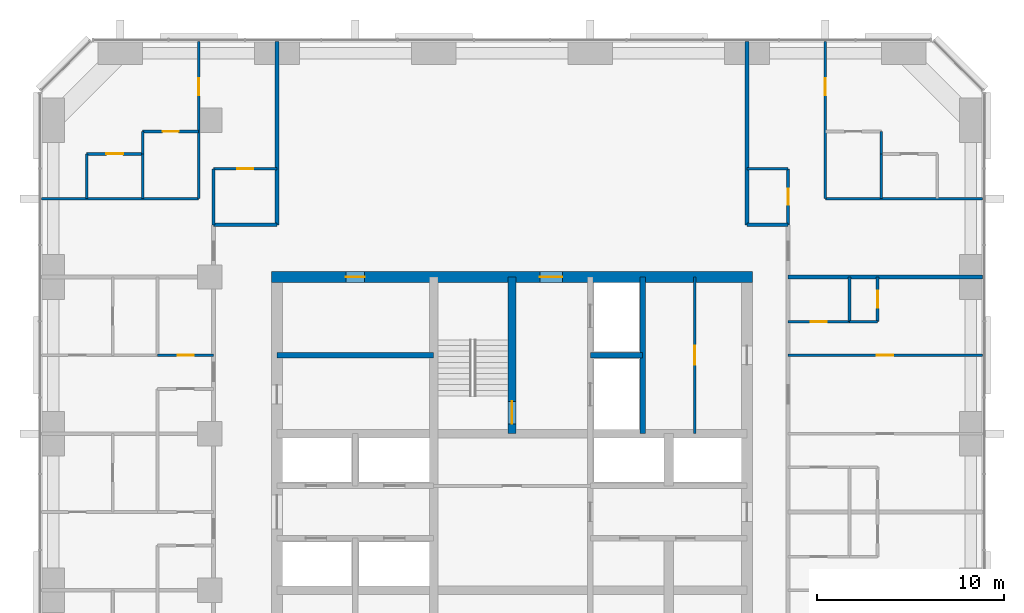
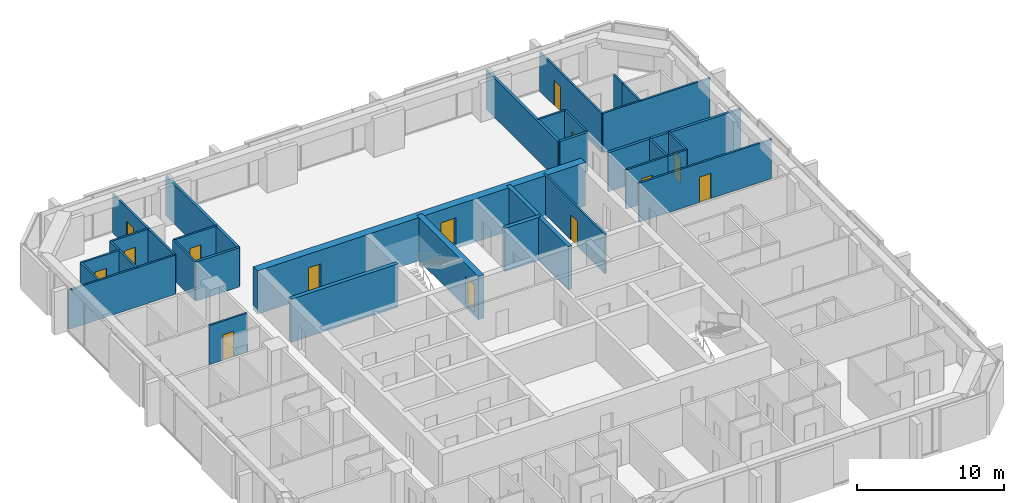
# One storey, part 12 of 14: 32 walls, 14 doors, 14 openings.
"""IFC4 building model written with IfcOpenShell, lengths in metres."""

import ifcopenshell
import ifcopenshell.guid

model = None  # the IFC model being written
_history = None  # IfcOwnerHistory: only IFC2X3 demands one
_inside = {}  # id of a spatial element -> (the spatial element, [elements in it])
_under = {}  # id of a project, library or spatial element -> (it, [spatial elements below it])
_declared = {}  # id of a project -> (the project, [libraries it declares])
_typed = {}  # id of a type object -> (the type object, [elements of that type])
_made_of = {}  # id of a material, layer set ... -> (it, [elements and type objects made of it])


def new_model(schema):
    """Start an empty IFC model of exactly this schema.

    Asked for "IFC4X3", IfcOpenShell would pick the latest addendum, in which some entities
    have other attributes; the version numbers below select the first issue.
    IFC2X3 requires an IfcOwnerHistory on every rooted entity: one is made here for all.
    """
    global model, _history
    if schema == "IFC4X3":
        model = ifcopenshell.file(schema_version=(4, 3, 0, 0))
    else:
        model = ifcopenshell.file(schema=schema)
    _inside.clear()
    _under.clear()
    _declared.clear()
    _typed.clear()
    _made_of.clear()
    _history = None
    if model.schema == "IFC2X3":
        org = make("IfcOrganization", Name="unknown")
        user = make(
            "IfcPersonAndOrganization",
            ThePerson=make("IfcPerson", FamilyName="unknown"),
            TheOrganization=org,
        )
        app = make(
            "IfcApplication",
            ApplicationDeveloper=org,
            Version="unknown",
            ApplicationFullName="unknown",
            ApplicationIdentifier="unknown",
        )
        _history = make(
            "IfcOwnerHistory",
            OwningUser=user,
            OwningApplication=app,
            ChangeAction="ADDED",
            CreationDate=0,
        )
    return model


def make(cls, **values):
    """One entity of the class cls with the attributes given. An attribute that is None is left unset."""
    return model.create_entity(
        cls, **{name: value for name, value in values.items() if value is not None}
    )


def rooted(cls, **values):
    """An entity with a GlobalId (a new one), such as an element, a storey or a relation."""
    return make(cls, GlobalId=ifcopenshell.guid.new(), OwnerHistory=_history, **values)


def si_unit(unit_type, name, prefix=None):
    """IfcSIUnit, for example si_unit("LENGTHUNIT", "METRE", prefix="MILLI")."""
    return make("IfcSIUnit", UnitType=unit_type, Prefix=prefix, Name=name)


def assignment(units):
    """IfcUnitAssignment: the units of a project."""
    return None if units is None else make("IfcUnitAssignment", Units=units)


def point(xyz):
    """IfcCartesianPoint."""
    return None if xyz is None else make("IfcCartesianPoint", Coordinates=xyz)


def direction(xyz):
    """IfcDirection."""
    return None if xyz is None else make("IfcDirection", DirectionRatios=xyz)


def frame(location, z_axis=None, x_axis=None):
    """IfcAxis2Placement3D, a coordinate frame: its origin and axes. An axis left out is left unset."""
    return make(
        "IfcAxis2Placement3D",
        Location=point(location),
        Axis=direction(z_axis),
        RefDirection=direction(x_axis),
    )


def frame_2d(location, x_axis=None):
    """IfcAxis2Placement2D, a coordinate frame in the plane: its origin and x axis."""
    return make(
        "IfcAxis2Placement2D", Location=point(location), RefDirection=direction(x_axis)
    )


def origin():
    """The frame at (0, 0, 0) with its axes left unset."""
    return frame((0.0, 0.0, 0.0))


def place(relative_to, where):
    """IfcLocalPlacement: puts the frame where relative to a parent placement (None: the world)."""
    return make(
        "IfcLocalPlacement", PlacementRelTo=relative_to, RelativePlacement=where
    )


def context(
    kind, dimensions, precision=None, world=None, true_north=None, identifier=None
):
    """IfcGeometricRepresentationContext, for example the 3D "Model" context."""
    return make(
        "IfcGeometricRepresentationContext",
        ContextIdentifier=identifier,
        ContextType=kind,
        CoordinateSpaceDimension=dimensions,
        Precision=precision,
        WorldCoordinateSystem=world,
        TrueNorth=true_north,
    )


def subcontext(parent, identifier, kind, view, scale=None):
    """IfcGeometricRepresentationSubContext, for example "Body" below "Model"."""
    return make(
        "IfcGeometricRepresentationSubContext",
        ContextIdentifier=identifier,
        ContextType=kind,
        ParentContext=parent,
        TargetScale=scale,
        TargetView=view,
    )


def project(units=None, contexts=None):
    """IfcProject with its units and contexts."""
    return rooted(
        "IfcProject",
        Name="project",
        RepresentationContexts=contexts,
        UnitsInContext=assignment(units),
    )


def spatial(cls, under=None, at=None, **own):
    """A site, building, storey or space (cls), placed at a placement, below another one or the project."""
    s = rooted(cls, ObjectPlacement=at, **own)
    if under is not None:
        _under.setdefault(under.id(), (under, []))[1].append(s)
    return s


def profile(cls, at=None, kind="AREA", **sizes):
    """A parametric profile (cls). Its sizes go by their IFC names, for example OverallWidth=200.0."""
    return make(cls, ProfileType=kind, Position=at, **sizes)


def rectangle(**sizes):
    """IfcRectangleProfileDef."""
    return profile("IfcRectangleProfileDef", **sizes)


def extrude(swept, where, along, depth):
    """IfcExtrudedAreaSolid: the profile swept, set in the frame where, extruded along a direction by depth."""
    return make(
        "IfcExtrudedAreaSolid",
        SweptArea=swept,
        Position=where,
        ExtrudedDirection=direction(along),
        Depth=depth,
    )


def shape(context_of_items, identifier, shape_type, items):
    """IfcShapeRepresentation: the items that make up one representation, for example the "Body"."""
    return make(
        "IfcShapeRepresentation",
        ContextOfItems=context_of_items,
        RepresentationIdentifier=identifier,
        RepresentationType=shape_type,
        Items=items,
    )


def material(Name=None, Category=None):
    """IfcMaterial."""
    return make("IfcMaterial", Name=Name, Category=Category)


def layer(
    of_material, thickness, ventilated=None, Name=None, Category=None, Priority=None
):
    """IfcMaterialLayer: one layer of a wall or slab, of a material (None: an air gap)."""
    return make(
        "IfcMaterialLayer",
        Material=of_material,
        LayerThickness=thickness,
        IsVentilated=ventilated,
        Name=Name,
        Category=Category,
        Priority=Priority,
    )


def layer_set(layers, Name=None):
    """IfcMaterialLayerSet."""
    return make("IfcMaterialLayerSet", MaterialLayers=layers, LayerSetName=Name)


def made_of(thing, what):
    """Note that an element or type object is made of a material, layer set ...; save() writes the relation."""
    if what is not None:
        _made_of.setdefault(what.id(), (what, []))[1].append(thing)
    return thing


def type_object(cls, material=None, **own):
    """A type object (cls), such as IfcWallType, which elements share."""
    return made_of(rooted(cls, **own), material)


def element(
    cls,
    number,
    at=None,
    inside=None,
    cuts=None,
    type_object=None,
    material=None,
    context=None,
    identifier="Body",
    shape_type=None,
    held_by="IfcProductDefinitionShape",
    body=None,
    shapes=None,
    **own,
):
    """One element of the class cls, such as IfcWall. Its Tag is "e" and its number.

    at: its placement. inside: the storey or other place that contains it. cuts: it is an
    opening in that element (IfcRelVoidsElement). A single representation is given by context,
    identifier, shape_type and body (its items); several are given by shapes. held_by: the class
    of the entity that holds the representations. save() writes the other relations.
    """
    e = rooted(cls, Tag="e%d" % number, ObjectPlacement=at, **own)
    if body is not None:
        shapes = [shape(context, identifier, shape_type, body)]
    if shapes is not None:
        e.Representation = make(held_by, Representations=shapes)
    if inside is not None:
        _inside.setdefault(inside.id(), (inside, []))[1].append(e)
    if cuts is not None:
        rooted(
            "IfcRelVoidsElement", RelatingBuildingElement=cuts, RelatedOpeningElement=e
        )
    if type_object is not None:
        _typed.setdefault(type_object.id(), (type_object, []))[1].append(e)
    return made_of(e, material)


def fill(opening, filler):
    """IfcRelFillsElement: the door or window that sits in an opening."""
    return rooted(
        "IfcRelFillsElement",
        RelatingOpeningElement=opening,
        RelatedBuildingElement=filler,
    )


def aggregate(whole, parts):
    """IfcRelAggregates: a whole, such as a stair, and the parts it consists of."""
    return rooted("IfcRelAggregates", RelatingObject=whole, RelatedObjects=parts)


def save(model, path):
    """Write the relations noted so far, then the file.

    IfcRelAggregates (storeys below a building ...), IfcRelContainedInSpatialStructure (elements
    in a storey), IfcRelDefinesByType, IfcRelAssociatesMaterial and IfcRelDeclares: one each for
    every whole, place, type object, material and project.
    """
    for whole, parts in _under.values():
        aggregate(whole, parts)
    for where, things in _inside.values():
        rooted(
            "IfcRelContainedInSpatialStructure",
            RelatedElements=things,
            RelatingStructure=where,
        )
    for kind, things in _typed.values():
        rooted("IfcRelDefinesByType", RelatedObjects=things, RelatingType=kind)
    for what, things in _made_of.values():
        rooted("IfcRelAssociatesMaterial", RelatedObjects=things, RelatingMaterial=what)
    for by, libraries in _declared.values():
        rooted("IfcRelDeclares", RelatingContext=by, RelatedDefinitions=libraries)
    model.write(path)


model = new_model("IFC4")

# Units and contexts
model_context = context("Model", 3, precision=1e-05, world=origin(), true_north=direction((0.0, 1.0)))
body_context = subcontext(model_context, "Body", "Model", "MODEL_VIEW")
ifc_project = project(units=[si_unit("LENGTHUNIT", "METRE"), si_unit("AREAUNIT", "SQUARE_METRE"), si_unit("VOLUMEUNIT", "CUBIC_METRE"), si_unit("PLANEANGLEUNIT", "RADIAN"), si_unit("MASSUNIT", "GRAM", prefix="KILO")], contexts=[model_context])

# Site, building, storey
site_placement = place(None, origin())
site = spatial("IfcSite", under=ifc_project, at=site_placement, CompositionType="ELEMENT")
building_placement = place(site_placement, origin())
building = spatial("IfcBuilding", under=site, at=building_placement, Name="Dunama Terrace Hotel", CompositionType="ELEMENT")
storey_placement = place(building_placement, frame((0.0, 0.0, 202.199951171875)))
storey = spatial("IfcBuildingStorey", under=building, at=storey_placement, Name="L52", CompositionType="ELEMENT", Elevation=202.199951171875)

# Walls
ifc_material_1 = material(Name="Gypsum board partition", Category="masonry")
ifc_layer_1 = layer(ifc_material_1, 0.14990234375)
ifc_layer_set_1 = layer_set([ifc_layer_1], Name="Bathroom partition 150")
wall_type_1 = type_object("IfcWallType", Name="Bathroom partition 150", PredefinedType="PARTITIONING", material=ifc_layer_set_1)
wall_1_placement = place(storey_placement, frame((9.60009765625, 48.60009765625, 0.0), z_axis=(0.0, 0.0, 1.0), x_axis=(0.0, 1.0, 0.0)))
element("IfcWall", 1, at=wall_1_placement, inside=storey, type_object=wall_type_1, Name="Bathroom partition 150 L52", PredefinedType="PARTITIONING", context=body_context, shape_type="SweptSolid", body=[
    extrude(rectangle(XDim=1.199951171875, YDim=0.14990234375, at=frame_2d((0.60009765625, 0.0))), origin(), (0.0, 0.0, 1.0), 3.25),
])
wall_2_placement = place(storey_placement, frame((13.39990234375, 44.800048828125, 0.0), z_axis=(0.0, 0.0, 1.0), x_axis=(0.0, 1.0, 0.0)))
element("IfcWall", 2, at=wall_2_placement, inside=storey, type_object=wall_type_1, Name="Bathroom partition 150 L52", PredefinedType="PARTITIONING", context=body_context, shape_type="SweptSolid", body=[
    extrude(rectangle(XDim=3.0, YDim=0.14990234375, at=frame_2d((1.5, 0.0))), origin(), (0.0, 0.0, 1.0), 3.25),
])

# Wall, opening, door
wall_3_placement = place(storey_placement, frame((44.199951171875, 44.800048828125, 0.0), z_axis=(0.0, 0.0, 1.0), x_axis=(0.0, 1.0, 0.0)))
wall_3 = element("IfcWall", 3, at=wall_3_placement, inside=storey, type_object=wall_type_1, Name="Bathroom partition 150 L52", PredefinedType="PARTITIONING", context=body_context, shape_type="SweptSolid", body=[
    extrude(rectangle(XDim=3.0, YDim=0.14990234375, at=frame_2d((1.5, 0.0))), origin(), (0.0, 0.0, 1.0), 3.25),
])
opening_1_placement = place(wall_3_placement, frame((1.074951171875, 0.0, 0.0)))
opening_1 = element("IfcOpeningElement", 4, at=opening_1_placement, cuts=wall_3, Name="Opening L51-52-064", PredefinedType="OPENING", context=body_context, shape_type="SweptSolid", body=[
    extrude(rectangle(XDim=0.85009765625, YDim=2.10009765625, at=frame_2d((0.425048828125, 1.050048828125))), frame((0.0, 0.0849609375, 0.0), z_axis=(0.0, -1.0, 0.0), x_axis=(1.0, 0.0, 0.0)), (0.0, 0.0, 1.0), 0.169921875),
])
ifc_material_2 = material(Name="Timber door with steel frame", Category="steel")
door_type_1 = type_object("IfcDoorType", Name="Bathroom door 850", OperationType="SINGLE_SWING_LEFT", PredefinedType="DOOR", material=ifc_material_2)
door_1_placement = place(opening_1_placement, origin())
door_1 = element("IfcDoor", 5, at=door_1_placement, inside=storey, type_object=door_type_1, Name="Door to powder room L51-52-064, type D2", OperationType="SINGLE_SWING_LEFT", OverallHeight=2.10009765625, OverallWidth=0.85009765625, PredefinedType="DOOR", context=body_context, shape_type="SweptSolid", body=[
    extrude(rectangle(XDim=0.85009765625, YDim=2.10009765625, at=frame_2d((0.425048828125, 1.050048828125))), frame((0.0, 0.02490234375, 0.0), z_axis=(0.0, -1.0, 0.0), x_axis=(1.0, 0.0, 0.0)), (0.0, 0.0, 1.0), 0.050048828125),
])
fill(opening_1, door_1)

# Wall
wall_4_placement = place(storey_placement, frame((49.199951171875, 48.60009765625, 0.0), z_axis=(0.0, 0.0, 1.0), x_axis=(0.0, 1.0, 0.0)))
element("IfcWall", 6, at=wall_4_placement, inside=storey, type_object=wall_type_1, Name="Bathroom partition 150 L52", PredefinedType="PARTITIONING", context=body_context, shape_type="SweptSolid", body=[
    extrude(rectangle(XDim=1.199951171875, YDim=0.14990234375, at=frame_2d((0.60009765625, 0.0))), origin(), (0.0, 0.0, 1.0), 3.25),
])

# Wall, opening, door
wall_5_placement = place(storey_placement, frame((10.39990234375, 37.800048828125, 0.0), z_axis=(0.0, 0.0, 1.0), x_axis=(1.0, 0.0, 0.0)))
wall_5 = element("IfcWall", 7, at=wall_5_placement, inside=storey, type_object=wall_type_1, Name="Bathroom partition 150 L52", PredefinedType="PARTITIONING", context=body_context, shape_type="SweptSolid", body=[
    extrude(rectangle(XDim=3.0, YDim=0.14990234375, at=frame_2d((1.5, 0.0))), origin(), (0.0, 0.0, 1.0), 3.25),
])
opening_2_placement = place(wall_5_placement, frame((1.074951171875, 0.0, 0.0)))
opening_2 = element("IfcOpeningElement", 8, at=opening_2_placement, cuts=wall_5, Name="Opening L51-52-050", PredefinedType="OPENING", context=body_context, shape_type="SweptSolid", body=[
    extrude(rectangle(XDim=0.85009765625, YDim=2.10009765625, at=frame_2d((0.425048828125, 1.050048828125))), frame((0.0, 0.0849609375, 0.0), z_axis=(0.0, -1.0, 0.0), x_axis=(1.0, 0.0, 0.0)), (0.0, 0.0, 1.0), 0.169921875),
])
door_2_placement = place(opening_2_placement, origin())
door_2 = element("IfcDoor", 9, at=door_2_placement, inside=storey, type_object=door_type_1, Name="Door to diplomatic residence bathroom L51-52-050, type D2", OperationType="SINGLE_SWING_RIGHT", OverallHeight=2.10009765625, OverallWidth=0.85009765625, PredefinedType="DOOR", context=body_context, shape_type="SweptSolid", body=[
    extrude(rectangle(XDim=0.85009765625, YDim=2.10009765625, at=frame_2d((0.425048828125, 1.050048828125))), frame((0.0, 0.02490234375, 0.0), z_axis=(0.0, -1.0, 0.0), x_axis=(1.0, 0.0, 0.0)), (0.0, 0.0, 1.0), 0.050048828125),
])
fill(opening_2, door_2)

wall_6_placement = place(storey_placement, frame((44.199951171875, 39.60009765625, 0.0), z_axis=(0.0, 0.0, 1.0), x_axis=(1.0, 0.0, 0.0)))
wall_6 = element("IfcWall", 10, at=wall_6_placement, inside=storey, type_object=wall_type_1, Name="Bathroom partition 150 L52", PredefinedType="PARTITIONING", context=body_context, shape_type="SweptSolid", body=[
    extrude(rectangle(XDim=3.300048828125, YDim=0.14990234375, at=frame_2d((1.64990234375, 0.0))), origin(), (0.0, 0.0, 1.0), 3.25),
])
opening_3_placement = place(wall_6_placement, frame((1.22509765625, 0.0, 0.0)))
opening_3 = element("IfcOpeningElement", 11, at=opening_3_placement, cuts=wall_6, Name="Opening L51-52-036", PredefinedType="OPENING", context=body_context, shape_type="SweptSolid", body=[
    extrude(rectangle(XDim=0.85009765625, YDim=2.10009765625, at=frame_2d((0.425048828125, 1.050048828125))), frame((0.0, 0.0849609375, 0.0), z_axis=(0.0, -1.0, 0.0), x_axis=(1.0, 0.0, 0.0)), (0.0, 0.0, 1.0), 0.169921875),
])
door_3_placement = place(opening_3_placement, origin())
door_3 = element("IfcDoor", 12, at=door_3_placement, inside=storey, type_object=door_type_1, Name="Door to en-suite bathroom L51-52-036, type D2", OperationType="SINGLE_SWING_LEFT", OverallHeight=2.10009765625, OverallWidth=0.85009765625, PredefinedType="DOOR", context=body_context, shape_type="SweptSolid", body=[
    extrude(rectangle(XDim=0.85009765625, YDim=2.10009765625, at=frame_2d((0.425048828125, 1.050048828125))), frame((0.0, 0.02490234375, 0.0), z_axis=(0.0, -1.0, 0.0), x_axis=(1.0, 0.0, 0.0)), (0.0, 0.0, 1.0), 0.050048828125),
])
fill(opening_3, door_3)

wall_7_placement = place(storey_placement, frame((13.39990234375, 47.800048828125, 0.0), z_axis=(0.0, 0.0, 1.0), x_axis=(1.0, 0.0, 0.0)))
wall_7 = element("IfcWall", 13, at=wall_7_placement, inside=storey, type_object=wall_type_1, Name="Bathroom partition 150 L52", PredefinedType="PARTITIONING", context=body_context, shape_type="SweptSolid", body=[
    extrude(rectangle(XDim=3.400146484375, YDim=0.14990234375, at=frame_2d((1.7001953125, 0.0))), origin(), (0.0, 0.0, 1.0), 3.25),
])
opening_4_placement = place(wall_7_placement, frame((1.27490234375, 0.0, 0.0)))
opening_4 = element("IfcOpeningElement", 14, at=opening_4_placement, cuts=wall_7, Name="Opening L51-52-069", PredefinedType="OPENING", context=body_context, shape_type="SweptSolid", body=[
    extrude(rectangle(XDim=0.85009765625, YDim=2.10009765625, at=frame_2d((0.425048828125, 1.050048828125))), frame((0.0, 0.0849609375, 0.0), z_axis=(0.0, -1.0, 0.0), x_axis=(1.0, 0.0, 0.0)), (0.0, 0.0, 1.0), 0.169921875),
])
door_4_placement = place(opening_4_placement, frame((0.85009765625, 0.0, 0.0), z_axis=(0.0, 0.0, 1.0), x_axis=(-1.0, 0.0, 0.0)))
door_4 = element("IfcDoor", 15, at=door_4_placement, inside=storey, type_object=door_type_1, Name="Door to powder room L51-52-069, type D2", OperationType="SINGLE_SWING_LEFT", OverallHeight=2.10009765625, OverallWidth=0.85009765625, PredefinedType="DOOR", context=body_context, shape_type="SweptSolid", body=[
    extrude(rectangle(XDim=0.85009765625, YDim=2.10009765625, at=frame_2d((0.425048828125, 1.050048828125))), frame((0.0, 0.025146484375, 0.0), z_axis=(0.0, -1.0, 0.0), x_axis=(1.0, 0.0, 0.0)), (0.0, 0.0, 1.0), 0.050048828125),
])
fill(opening_4, door_4)

# Wall
wall_8_placement = place(storey_placement, frame((42.0, 47.800048828125, 0.0), z_axis=(0.0, 0.0, 1.0), x_axis=(1.0, 0.0, 0.0)))
element("IfcWall", 16, at=wall_8_placement, inside=storey, type_object=wall_type_1, Name="Bathroom partition 150 L52", PredefinedType="PARTITIONING", context=body_context, shape_type="SweptSolid", body=[
    extrude(rectangle(XDim=2.199951171875, YDim=0.14990234375, at=frame_2d((1.10009765625, 0.0))), origin(), (0.0, 0.0, 1.0), 3.25),
])

# Wall, opening, door
wall_9_placement = place(storey_placement, frame((9.60009765625, 49.800048828125, 0.0), z_axis=(0.0, 0.0, 1.0), x_axis=(1.0, 0.0, 0.0)))
wall_9 = element("IfcWall", 17, at=wall_9_placement, inside=storey, type_object=wall_type_1, Name="Bathroom partition 150 L52", PredefinedType="PARTITIONING", context=body_context, shape_type="SweptSolid", body=[
    extrude(rectangle(XDim=3.0, YDim=0.14990234375, at=frame_2d((1.5, 0.0))), origin(), (0.0, 0.0, 1.0), 3.25),
])
opening_5_placement = place(wall_9_placement, frame((1.074951171875, 0.0, 0.0)))
opening_5 = element("IfcOpeningElement", 18, at=opening_5_placement, cuts=wall_9, Name="Opening L51-52-071", PredefinedType="OPENING", context=body_context, shape_type="SweptSolid", body=[
    extrude(rectangle(XDim=0.85009765625, YDim=2.10009765625, at=frame_2d((0.425048828125, 1.050048828125))), frame((0.0, 0.0849609375, 0.0), z_axis=(0.0, -1.0, 0.0), x_axis=(1.0, 0.0, 0.0)), (0.0, 0.0, 1.0), 0.169921875),
])
door_5_placement = place(opening_5_placement, frame((0.85009765625, 0.0, 0.0), z_axis=(0.0, 0.0, 1.0), x_axis=(-1.0, 0.0, 0.0)))
door_5 = element("IfcDoor", 19, at=door_5_placement, inside=storey, type_object=door_type_1, Name="Door to en-suite bathroom L51-52-071, type D2", OperationType="SINGLE_SWING_RIGHT", OverallHeight=2.10009765625, OverallWidth=0.85009765625, PredefinedType="DOOR", context=body_context, shape_type="SweptSolid", body=[
    extrude(rectangle(XDim=0.85009765625, YDim=2.10009765625, at=frame_2d((0.425048828125, 1.050048828125))), frame((0.0, 0.025146484375, 0.0), z_axis=(0.0, -1.0, 0.0), x_axis=(1.0, 0.0, 0.0)), (0.0, 0.0, 1.0), 0.050048828125),
])
fill(opening_5, door_5)

# Walls
ifc_material_3 = material(Name="Concrete C50/60", Category="concrete")
ifc_layer_2 = layer(ifc_material_3, 0.300048828125)
ifc_layer_set_2 = layer_set([ifc_layer_2], Name="Core inner wall 300")
wall_type_2 = type_object("IfcWallType", Name="Core inner wall 300", PredefinedType="SHEAR", material=ifc_layer_set_2)
for number, where, z_axis, x_axis, name in (
    (20, (36.39990234375, 33.60009765625, -0.349853515625), (0.0, 0.0, 1.0), (0.0, 1.0, 0.0), "Core inner wall 300 L52"),
    (21, (16.800048828125, 37.800048828125, -0.349853515625), (0.0, 0.0, 1.0), (1.0, 0.0, 0.0), "Core inner wall 300 L52"),
):
    element("IfcWall", number, at=place(storey_placement, frame(where, z_axis=z_axis, x_axis=x_axis)), inside=storey, type_object=wall_type_2, Name=name, PredefinedType="SHEAR", context=body_context, shape_type="SweptSolid", body=[
        extrude(rectangle(XDim=8.39990234375, YDim=0.300048828125, at=frame_2d((4.199951171875, 0.0))), origin(), (0.0, 0.0, 1.0), 3.599853515625),
    ])
wall_10_placement = place(storey_placement, frame((33.60009765625, 37.800048828125, -0.349853515625), z_axis=(0.0, 0.0, 1.0), x_axis=(1.0, 0.0, 0.0)))
element("IfcWall", 22, at=wall_10_placement, inside=storey, type_object=wall_type_2, Name="Core inner wall 300 L52", PredefinedType="SHEAR", context=body_context, shape_type="SweptSolid", body=[
    extrude(rectangle(XDim=2.7998046875, YDim=0.300048828125, at=frame_2d((1.39990234375, 0.0))), origin(), (0.0, 0.0, 1.0), 3.599853515625),
])

# Wall, opening, door
ifc_material_4 = material(Name="Concrete C50/60", Category="concrete")
ifc_layer_3 = layer(ifc_material_4, 0.449951171875)
ifc_layer_set_3 = layer_set([ifc_layer_3], Name="Core inner wall 450")
wall_type_3 = type_object("IfcWallType", Name="Core inner wall 450", PredefinedType="SHEAR", material=ifc_layer_set_3)
wall_11_placement = place(storey_placement, frame((29.39990234375, 33.60009765625, -0.349853515625), z_axis=(0.0, 0.0, 1.0), x_axis=(0.0, 1.0, 0.0)))
wall_11 = element("IfcWall", 23, at=wall_11_placement, inside=storey, type_object=wall_type_3, Name="Core inner wall 450 L52", PredefinedType="SHEAR", context=body_context, shape_type="SweptSolid", body=[
    extrude(rectangle(XDim=8.39990234375, YDim=0.449951171875, at=frame_2d((4.199951171875, 0.0))), origin(), (0.0, 0.0, 1.0), 3.599853515625),
])
opening_6_placement = place(wall_11_placement, frame((0.52490234375, 0.0, 0.35009765625)))
opening_6 = element("IfcOpeningElement", 24, at=opening_6_placement, cuts=wall_11, Name="Opening L51-52-001", PredefinedType="OPENING", context=body_context, shape_type="SweptSolid", body=[
    extrude(rectangle(XDim=1.199951171875, YDim=2.199951171875, at=frame_2d((0.60009765625, 1.10009765625))), frame((0.0, 0.23486328125, 0.0), z_axis=(0.0, -1.0, 0.0), x_axis=(1.0, 0.0, 0.0)), (0.0, 0.0, 1.0), 0.469970703125),
])
ifc_material_5 = material(Name="Timber door with steel frame", Category="steel")
door_type_2 = type_object("IfcDoorType", Name="Stair door 1200", OperationType="SINGLE_SWING_LEFT", PredefinedType="DOOR", material=ifc_material_5)
door_6_placement = place(opening_6_placement, origin())
door_6 = element("IfcDoor", 25, at=door_6_placement, inside=storey, type_object=door_type_2, Name="Stair door ST1 L51-52-001, type D5", OperationType="SINGLE_SWING_LEFT", OverallHeight=2.199951171875, OverallWidth=1.199951171875, PredefinedType="DOOR", context=body_context, shape_type="SweptSolid", body=[
    extrude(rectangle(XDim=1.199951171875, YDim=2.199951171875, at=frame_2d((0.60009765625, 1.10009765625))), frame((0.0, 0.02490234375, 0.0), z_axis=(0.0, -1.0, 0.0), x_axis=(1.0, 0.0, 0.0)), (0.0, 0.0, 1.0), 0.050048828125),
])
fill(opening_6, door_6)

# Wall, openings, doors
ifc_material_6 = material(Name="Concrete C50/60", Category="concrete")
ifc_layer_4 = layer(ifc_material_6, 0.60009765625)
ifc_layer_set_4 = layer_set([ifc_layer_4], Name="Core wall 600")
wall_type_4 = type_object("IfcWallType", Name="Core wall 600", PredefinedType="SHEAR", material=ifc_layer_set_4)
wall_12_placement = place(storey_placement, frame((42.300048828125, 42.0, -0.349853515625), z_axis=(0.0, 0.0, 1.0), x_axis=(-1.0, 0.0, 0.0)))
wall_12 = element("IfcWall", 26, at=wall_12_placement, inside=storey, type_object=wall_type_4, Name="Core wall north L52", PredefinedType="SHEAR", context=body_context, shape_type="SweptSolid", body=[
    extrude(rectangle(XDim=25.800048828125, YDim=0.60009765625, at=frame_2d((12.89990234375, 0.0))), origin(), (0.0, 0.0, 1.0), 3.599853515625),
])
opening_7_placement = place(wall_12_placement, frame((20.800048828125, 0.0, 0.35009765625)))
opening_7 = element("IfcOpeningElement", 27, at=opening_7_placement, cuts=wall_12, Name="Opening L51-52-080", PredefinedType="OPENING", context=body_context, shape_type="SweptSolid", body=[
    extrude(rectangle(XDim=1.0, YDim=2.10009765625, at=frame_2d((0.5, 1.050048828125))), frame((0.0, 0.31005859375, 0.0), z_axis=(0.0, -1.0, 0.0), x_axis=(1.0, 0.0, 0.0)), (0.0, 0.0, 1.0), 0.6201171875),
])
opening_8_placement = place(wall_12_placement, frame((10.199951171875, 0.0, 0.35009765625)))
opening_8 = element("IfcOpeningElement", 28, at=opening_8_placement, cuts=wall_12, Name="Opening L51-52-086", PredefinedType="OPENING", context=body_context, shape_type="SweptSolid", body=[
    extrude(rectangle(XDim=1.199951171875, YDim=2.199951171875, at=frame_2d((0.60009765625, 1.10009765625))), frame((0.0, 0.31005859375, 0.0), z_axis=(0.0, -1.0, 0.0), x_axis=(1.0, 0.0, 0.0)), (0.0, 0.0, 1.0), 0.6201171875),
])
ifc_material_7 = material(Name="Timber door with steel frame", Category="steel")
door_type_3 = type_object("IfcDoorType", Name="Firefighting lobby door 1200", OperationType="SINGLE_SWING_LEFT", PredefinedType="DOOR", material=ifc_material_7)
door_7_placement = place(opening_8_placement, origin())
door_7 = element("IfcDoor", 29, at=door_7_placement, inside=storey, type_object=door_type_3, Name="Door to firefighting lobby L51-52-086, type D4", OperationType="SINGLE_SWING_RIGHT", OverallHeight=2.199951171875, OverallWidth=1.199951171875, PredefinedType="DOOR", context=body_context, shape_type="SweptSolid", body=[
    extrude(rectangle(XDim=1.199951171875, YDim=2.199951171875, at=frame_2d((0.60009765625, 1.10009765625))), frame((0.0, 0.02490234375, 0.0), z_axis=(0.0, -1.0, 0.0), x_axis=(1.0, 0.0, 0.0)), (0.0, 0.0, 1.0), 0.050048828125),
])
fill(opening_8, door_7)
ifc_material_8 = material(Name="Timber door with steel frame", Category="steel")
door_type_4 = type_object("IfcDoorType", Name="Service door 1000", OperationType="SINGLE_SWING_LEFT", PredefinedType="DOOR", material=ifc_material_8)
door_8_placement = place(opening_7_placement, origin())
door_8 = element("IfcDoor", 30, at=door_8_placement, inside=storey, type_object=door_type_4, Name="Door to communications and riser room L51-52-080, type D7", OperationType="SINGLE_SWING_LEFT", OverallHeight=2.10009765625, OverallWidth=1.0, PredefinedType="DOOR", context=body_context, shape_type="SweptSolid", body=[
    extrude(rectangle(XDim=1.0, YDim=2.10009765625, at=frame_2d((0.5, 1.050048828125))), frame((0.0, 0.02490234375, 0.0), z_axis=(0.0, -1.0, 0.0), x_axis=(1.0, 0.0, 0.0)), (0.0, 0.0, 1.0), 0.050048828125),
])
fill(opening_7, door_8)

# Walls
ifc_material_9 = material(Name="Concrete blockwork", Category="masonry")
ifc_layer_5 = layer(ifc_material_9, 0.199951171875)
ifc_layer_set_5 = layer_set([ifc_layer_5], Name="Corridor partition 200")
wall_type_5 = type_object("IfcWallType", Name="Corridor partition 200", PredefinedType="PARTITIONING", material=ifc_layer_set_5)
wall_13_placement = place(storey_placement, frame((16.800048828125, 44.800048828125, 0.0), z_axis=(0.0, 0.0, 1.0), x_axis=(0.0, 1.0, 0.0)))
element("IfcWall", 31, at=wall_13_placement, inside=storey, type_object=wall_type_5, Name="Corridor partition 200 L52", PredefinedType="PARTITIONING", context=body_context, shape_type="SweptSolid", body=[
    extrude(rectangle(XDim=9.81787109375, YDim=0.199951171875, at=frame_2d((4.908935546875, 0.0))), origin(), (0.0, 0.0, 1.0), 3.25),
])
wall_14_placement = place(storey_placement, frame((13.39990234375, 44.800048828125, 0.0), z_axis=(0.0, 0.0, 1.0), x_axis=(1.0, 0.0, 0.0)))
element("IfcWall", 32, at=wall_14_placement, inside=storey, type_object=wall_type_5, Name="Corridor partition 200 L52", PredefinedType="PARTITIONING", context=body_context, shape_type="SweptSolid", body=[
    extrude(rectangle(XDim=3.400146484375, YDim=0.199951171875, at=frame_2d((1.7001953125, 0.0))), origin(), (0.0, 0.0, 1.0), 3.25),
])
wall_15_placement = place(storey_placement, frame((42.0, 44.800048828125, 0.0), z_axis=(0.0, 0.0, 1.0), x_axis=(1.0, 0.0, 0.0)))
element("IfcWall", 33, at=wall_15_placement, inside=storey, type_object=wall_type_5, Name="Corridor partition 200 L52", PredefinedType="PARTITIONING", context=body_context, shape_type="SweptSolid", body=[
    extrude(rectangle(XDim=2.199951171875, YDim=0.199951171875, at=frame_2d((1.10009765625, 0.0))), origin(), (0.0, 0.0, 1.0), 3.25),
])
wall_16_placement = place(storey_placement, frame((42.0, 54.617919921875, 0.0), z_axis=(0.0, 0.0, 1.0), x_axis=(0.0, -1.0, 0.0)))
element("IfcWall", 34, at=wall_16_placement, inside=storey, type_object=wall_type_5, Name="Corridor partition 200 L52", PredefinedType="PARTITIONING", context=body_context, shape_type="SweptSolid", body=[
    extrude(rectangle(XDim=9.81787109375, YDim=0.199951171875, at=frame_2d((4.908935546875, 0.0))), origin(), (0.0, 0.0, 1.0), 3.25),
])
ifc_material_10 = material(Name="Concrete blockwork", Category="masonry")
ifc_layer_6 = layer(ifc_material_10, 0.199951171875)
ifc_layer_set_6 = layer_set([ifc_layer_6], Name="Party wall 200")
wall_type_6 = type_object("IfcWallType", Name="Party wall 200", PredefinedType="PARTITIONING", material=ifc_layer_set_6)
wall_17_placement = place(storey_placement, frame((44.199951171875, 42.0, 0.0), z_axis=(0.0, 0.0, 1.0), x_axis=(1.0, 0.0, 0.0)))
element("IfcWall", 35, at=wall_17_placement, inside=storey, type_object=wall_type_6, Name="Party wall 200 L52", PredefinedType="PARTITIONING", context=body_context, shape_type="SweptSolid", body=[
    extrude(rectangle(XDim=10.41796875, YDim=0.199951171875, at=frame_2d((5.208984375, 0.0))), origin(), (0.0, 0.0, 1.0), 3.25),
])
ifc_material_11 = material(Name="Gypsum board partition", Category="masonry")
ifc_layer_7 = layer(ifc_material_11, 0.14990234375)
ifc_layer_set_7 = layer_set([ifc_layer_7], Name="Room partition 150")
wall_type_7 = type_object("IfcWallType", Name="Room partition 150", PredefinedType="PARTITIONING", material=ifc_layer_set_7)
for number, where, z_axis, x_axis, name in (
    (36, (6.60009765625, 46.199951171875, 0.0), (0.0, 0.0, 1.0), (0.0, 1.0, 0.0), "Room partition 150 L52"),
    (37, (9.60009765625, 46.199951171875, 0.0), (0.0, 0.0, 1.0), (0.0, 1.0, 0.0), "Room partition 150 L52"),
):
    element("IfcWall", number, at=place(storey_placement, frame(where, z_axis=z_axis, x_axis=x_axis)), inside=storey, type_object=wall_type_7, Name=name, PredefinedType="PARTITIONING", context=body_context, shape_type="SweptSolid", body=[
        extrude(rectangle(XDim=2.400146484375, YDim=0.14990234375, at=frame_2d((1.2001953125, 0.0))), origin(), (0.0, 0.0, 1.0), 3.25),
    ])

# Wall, opening, door
wall_18_placement = place(storey_placement, frame((12.60009765625, 46.199951171875, 0.0), z_axis=(0.0, 0.0, 1.0), x_axis=(0.0, 1.0, 0.0)))
wall_18 = element("IfcWall", 38, at=wall_18_placement, inside=storey, type_object=wall_type_7, Name="Room partition 150 L52", PredefinedType="PARTITIONING", context=body_context, shape_type="SweptSolid", body=[
    extrude(rectangle(XDim=8.41796875, YDim=0.14990234375, at=frame_2d((4.208984375, 0.0))), origin(), (0.0, 0.0, 1.0), 3.25),
])
opening_9_placement = place(wall_18_placement, frame((5.550048828125, 0.0, 0.0)))
opening_9 = element("IfcOpeningElement", 39, at=opening_9_placement, cuts=wall_18, Name="Opening L51-52-070", PredefinedType="OPENING", context=body_context, shape_type="SweptSolid", body=[
    extrude(rectangle(XDim=0.89990234375, YDim=2.10009765625, at=frame_2d((0.449951171875, 1.050048828125))), frame((0.0, 0.0849609375, 0.0), z_axis=(0.0, -1.0, 0.0), x_axis=(1.0, 0.0, 0.0)), (0.0, 0.0, 1.0), 0.169921875),
])
ifc_material_12 = material(Name="Timber door with steel frame", Category="steel")
door_type_5 = type_object("IfcDoorType", Name="Suite internal door 900", OperationType="SINGLE_SWING_LEFT", PredefinedType="DOOR", material=ifc_material_12)
door_9_placement = place(opening_9_placement, origin())
door_9 = element("IfcDoor", 40, at=door_9_placement, inside=storey, type_object=door_type_5, Name="Door to corner suite bedroom L51-52-070, type D16", OperationType="SINGLE_SWING_LEFT", OverallHeight=2.10009765625, OverallWidth=0.89990234375, PredefinedType="DOOR", context=body_context, shape_type="SweptSolid", body=[
    extrude(rectangle(XDim=0.89990234375, YDim=2.10009765625, at=frame_2d((0.449951171875, 1.050048828125))), frame((0.0, 0.02490234375, 0.0), z_axis=(0.0, -1.0, 0.0), x_axis=(1.0, 0.0, 0.0)), (0.0, 0.0, 1.0), 0.050048828125),
])
fill(opening_9, door_9)

wall_19_placement = place(storey_placement, frame((39.199951171875, 33.60009765625, 0.0), z_axis=(0.0, 0.0, 1.0), x_axis=(0.0, 1.0, 0.0)))
wall_19 = element("IfcWall", 41, at=wall_19_placement, inside=storey, type_object=wall_type_7, Name="Room partition 150 L52", PredefinedType="PARTITIONING", context=body_context, shape_type="SweptSolid", body=[
    extrude(rectangle(XDim=8.39990234375, YDim=0.14990234375, at=frame_2d((4.199951171875, 0.0))), origin(), (0.0, 0.0, 1.0), 3.25),
])
opening_10_placement = place(wall_19_placement, frame((3.699951171875, 0.0, 0.0)))
opening_10 = element("IfcOpeningElement", 42, at=opening_10_placement, cuts=wall_19, Name="Opening L51-52-088", PredefinedType="OPENING", context=body_context, shape_type="SweptSolid", body=[
    extrude(rectangle(XDim=1.0, YDim=2.10009765625, at=frame_2d((0.5, 1.050048828125))), frame((0.0, 0.0849609375, 0.0), z_axis=(0.0, -1.0, 0.0), x_axis=(1.0, 0.0, 0.0)), (0.0, 0.0, 1.0), 0.169921875),
])
door_10_placement = place(opening_10_placement, origin())
door_10 = element("IfcDoor", 43, at=door_10_placement, inside=storey, type_object=door_type_4, Name="Door to luggage store L51-52-088, type D7", OperationType="SINGLE_SWING_LEFT", OverallHeight=2.10009765625, OverallWidth=1.0, PredefinedType="DOOR", context=body_context, shape_type="SweptSolid", body=[
    extrude(rectangle(XDim=1.0, YDim=2.10009765625, at=frame_2d((0.5, 1.050048828125))), frame((0.0, 0.02490234375, 0.0), z_axis=(0.0, -1.0, 0.0), x_axis=(1.0, 0.0, 0.0)), (0.0, 0.0, 1.0), 0.050048828125),
])
fill(opening_10, door_10)

wall_20_placement = place(storey_placement, frame((46.199951171875, 46.199951171875, 0.0), z_axis=(0.0, 0.0, 1.0), x_axis=(0.0, 1.0, 0.0)))
wall_20 = element("IfcWall", 44, at=wall_20_placement, inside=storey, type_object=wall_type_7, Name="Room partition 150 L52", PredefinedType="PARTITIONING", context=body_context, shape_type="SweptSolid", body=[
    extrude(rectangle(XDim=8.41796875, YDim=0.14990234375, at=frame_2d((4.208984375, 0.0))), origin(), (0.0, 0.0, 1.0), 3.25),
])
opening_11_placement = place(wall_20_placement, frame((5.550048828125, 0.0, 0.0)))
opening_11 = element("IfcOpeningElement", 45, at=opening_11_placement, cuts=wall_20, Name="Opening L51-52-065", PredefinedType="OPENING", context=body_context, shape_type="SweptSolid", body=[
    extrude(rectangle(XDim=0.89990234375, YDim=2.10009765625, at=frame_2d((0.449951171875, 1.050048828125))), frame((0.0, 0.0849609375, 0.0), z_axis=(0.0, -1.0, 0.0), x_axis=(1.0, 0.0, 0.0)), (0.0, 0.0, 1.0), 0.169921875),
])
door_11_placement = place(opening_11_placement, frame((0.89990234375, 0.0, 0.0), z_axis=(0.0, 0.0, 1.0), x_axis=(-1.0, 0.0, 0.0)))
door_11 = element("IfcDoor", 46, at=door_11_placement, inside=storey, type_object=door_type_5, Name="Door to corner suite bedroom L51-52-065, type D16", OperationType="SINGLE_SWING_RIGHT", OverallHeight=2.10009765625, OverallWidth=0.89990234375, PredefinedType="DOOR", context=body_context, shape_type="SweptSolid", body=[
    extrude(rectangle(XDim=0.89990234375, YDim=2.10009765625, at=frame_2d((0.449951171875, 1.050048828125))), frame((0.0, 0.025146484375, 0.0), z_axis=(0.0, -1.0, 0.0), x_axis=(1.0, 0.0, 0.0)), (0.0, 0.0, 1.0), 0.050048828125),
])
fill(opening_11, door_11)

# Wall
wall_21_placement = place(storey_placement, frame((47.5, 39.60009765625, 0.0), z_axis=(0.0, 0.0, 1.0), x_axis=(0.0, 1.0, 0.0)))
element("IfcWall", 47, at=wall_21_placement, inside=storey, type_object=wall_type_7, Name="Room partition 150 L52", PredefinedType="PARTITIONING", context=body_context, shape_type="SweptSolid", body=[
    extrude(rectangle(XDim=2.39990234375, YDim=0.14990234375, at=frame_2d((1.199951171875, 0.0))), origin(), (0.0, 0.0, 1.0), 3.25),
])

# Wall, opening, door
wall_22_placement = place(storey_placement, frame((49.0, 39.60009765625, 0.0), z_axis=(0.0, 0.0, 1.0), x_axis=(0.0, 1.0, 0.0)))
wall_22 = element("IfcWall", 48, at=wall_22_placement, inside=storey, type_object=wall_type_7, Name="Room partition 150 L52", PredefinedType="PARTITIONING", context=body_context, shape_type="SweptSolid", body=[
    extrude(rectangle(XDim=2.39990234375, YDim=0.14990234375, at=frame_2d((1.199951171875, 0.0))), origin(), (0.0, 0.0, 1.0), 3.25),
])
opening_12_placement = place(wall_22_placement, frame((0.75, 0.0, 0.0)))
opening_12 = element("IfcOpeningElement", 49, at=opening_12_placement, cuts=wall_22, Name="Opening L51-52-037", PredefinedType="OPENING", context=body_context, shape_type="SweptSolid", body=[
    extrude(rectangle(XDim=0.89990234375, YDim=2.10009765625, at=frame_2d((0.449951171875, 1.050048828125))), frame((0.0, 0.0849609375, 0.0), z_axis=(0.0, -1.0, 0.0), x_axis=(1.0, 0.0, 0.0)), (0.0, 0.0, 1.0), 0.169921875),
])
door_12_placement = place(opening_12_placement, origin())
door_12 = element("IfcDoor", 50, at=door_12_placement, inside=storey, type_object=door_type_5, Name="Door to walk-in wardrobe L51-52-037, type D16", OperationType="SINGLE_SWING_LEFT", OverallHeight=2.10009765625, OverallWidth=0.89990234375, PredefinedType="DOOR", context=body_context, shape_type="SweptSolid", body=[
    extrude(rectangle(XDim=0.89990234375, YDim=2.10009765625, at=frame_2d((0.449951171875, 1.050048828125))), frame((0.0, 0.02490234375, 0.0), z_axis=(0.0, -1.0, 0.0), x_axis=(1.0, 0.0, 0.0)), (0.0, 0.0, 1.0), 0.050048828125),
])
fill(opening_12, door_12)

# Wall
wall_23_placement = place(storey_placement, frame((49.199951171875, 46.199951171875, 0.0), z_axis=(0.0, 0.0, 1.0), x_axis=(0.0, 1.0, 0.0)))
element("IfcWall", 51, at=wall_23_placement, inside=storey, type_object=wall_type_7, Name="Room partition 150 L52", PredefinedType="PARTITIONING", context=body_context, shape_type="SweptSolid", body=[
    extrude(rectangle(XDim=2.400146484375, YDim=0.14990234375, at=frame_2d((1.2001953125, 0.0))), origin(), (0.0, 0.0, 1.0), 3.25),
])

# Wall, opening, door
wall_24_placement = place(storey_placement, frame((44.199951171875, 37.800048828125, 0.0), z_axis=(0.0, 0.0, 1.0), x_axis=(1.0, 0.0, 0.0)))
wall_24 = element("IfcWall", 52, at=wall_24_placement, inside=storey, type_object=wall_type_7, Name="Room partition 150 L52", PredefinedType="PARTITIONING", context=body_context, shape_type="SweptSolid", body=[
    extrude(rectangle(XDim=10.41796875, YDim=0.14990234375, at=frame_2d((5.208984375, 0.0))), origin(), (0.0, 0.0, 1.0), 3.25),
])
opening_13_placement = place(wall_24_placement, frame((4.75, 0.0, 0.0)))
opening_13 = element("IfcOpeningElement", 53, at=opening_13_placement, cuts=wall_24, Name="Opening L51-52-035", PredefinedType="OPENING", context=body_context, shape_type="SweptSolid", body=[
    extrude(rectangle(XDim=0.89990234375, YDim=2.10009765625, at=frame_2d((0.449951171875, 1.050048828125))), frame((0.0, 0.0849609375, 0.0), z_axis=(0.0, -1.0, 0.0), x_axis=(1.0, 0.0, 0.0)), (0.0, 0.0, 1.0), 0.169921875),
])
door_13_placement = place(opening_13_placement, origin())
door_13 = element("IfcDoor", 54, at=door_13_placement, inside=storey, type_object=door_type_5, Name="Door to family club suite second bedroom L51-52-035, type D16", OperationType="SINGLE_SWING_LEFT", OverallHeight=2.10009765625, OverallWidth=0.89990234375, PredefinedType="DOOR", context=body_context, shape_type="SweptSolid", body=[
    extrude(rectangle(XDim=0.89990234375, YDim=2.10009765625, at=frame_2d((0.449951171875, 1.050048828125))), frame((0.0, 0.02490234375, 0.0), z_axis=(0.0, -1.0, 0.0), x_axis=(1.0, 0.0, 0.0)), (0.0, 0.0, 1.0), 0.050048828125),
])
fill(opening_13, door_13)

# Walls
wall_25_placement = place(storey_placement, frame((47.5, 39.60009765625, 0.0), z_axis=(0.0, 0.0, 1.0), x_axis=(1.0, 0.0, 0.0)))
element("IfcWall", 55, at=wall_25_placement, inside=storey, type_object=wall_type_7, Name="Room partition 150 L52", PredefinedType="PARTITIONING", context=body_context, shape_type="SweptSolid", body=[
    extrude(rectangle(XDim=1.5, YDim=0.14990234375, at=frame_2d((0.75, 0.0))), origin(), (0.0, 0.0, 1.0), 3.25),
])
wall_26_placement = place(storey_placement, frame((4.181884765625, 46.199951171875, 0.0), z_axis=(0.0, 0.0, 1.0), x_axis=(1.0, 0.0, 0.0)))
element("IfcWall", 56, at=wall_26_placement, inside=storey, type_object=wall_type_7, Name="Room partition 150 L52", PredefinedType="PARTITIONING", context=body_context, shape_type="SweptSolid", body=[
    extrude(rectangle(XDim=8.418212890625, YDim=0.14990234375, at=frame_2d((4.208984375, 0.0))), origin(), (0.0, 0.0, 1.0), 3.25),
])
wall_27_placement = place(storey_placement, frame((46.199951171875, 46.199951171875, 0.0), z_axis=(0.0, 0.0, 1.0), x_axis=(1.0, 0.0, 0.0)))
element("IfcWall", 57, at=wall_27_placement, inside=storey, type_object=wall_type_7, Name="Room partition 150 L52", PredefinedType="PARTITIONING", context=body_context, shape_type="SweptSolid", body=[
    extrude(rectangle(XDim=8.41796875, YDim=0.14990234375, at=frame_2d((4.208984375, 0.0))), origin(), (0.0, 0.0, 1.0), 3.25),
])

# Wall, opening, door
wall_28_placement = place(storey_placement, frame((6.60009765625, 48.60009765625, 0.0), z_axis=(0.0, 0.0, 1.0), x_axis=(1.0, 0.0, 0.0)))
wall_28 = element("IfcWall", 58, at=wall_28_placement, inside=storey, type_object=wall_type_7, Name="Room partition 150 L52", PredefinedType="PARTITIONING", context=body_context, shape_type="SweptSolid", body=[
    extrude(rectangle(XDim=3.0, YDim=0.14990234375, at=frame_2d((1.5, 0.0))), origin(), (0.0, 0.0, 1.0), 3.25),
])
opening_14_placement = place(wall_28_placement, frame((1.050048828125, 0.0, 0.0)))
opening_14 = element("IfcOpeningElement", 59, at=opening_14_placement, cuts=wall_28, Name="Opening L51-52-072", PredefinedType="OPENING", context=body_context, shape_type="SweptSolid", body=[
    extrude(rectangle(XDim=0.89990234375, YDim=2.10009765625, at=frame_2d((0.449951171875, 1.050048828125))), frame((0.0, 0.0849609375, 0.0), z_axis=(0.0, -1.0, 0.0), x_axis=(1.0, 0.0, 0.0)), (0.0, 0.0, 1.0), 0.169921875),
])
door_14_placement = place(opening_14_placement, frame((0.89990234375, 0.0, 0.0), z_axis=(0.0, 0.0, 1.0), x_axis=(-1.0, 0.0, 0.0)))
door_14 = element("IfcDoor", 60, at=door_14_placement, inside=storey, type_object=door_type_5, Name="Door to dressing room L51-52-072, type D16", OperationType="SINGLE_SWING_RIGHT", OverallHeight=2.10009765625, OverallWidth=0.89990234375, PredefinedType="DOOR", context=body_context, shape_type="SweptSolid", body=[
    extrude(rectangle(XDim=0.89990234375, YDim=2.10009765625, at=frame_2d((0.449951171875, 1.050048828125))), frame((0.0, 0.025146484375, 0.0), z_axis=(0.0, -1.0, 0.0), x_axis=(1.0, 0.0, 0.0)), (0.0, 0.0, 1.0), 0.050048828125),
])
fill(opening_14, door_14)

save(model, "model.ifc")
